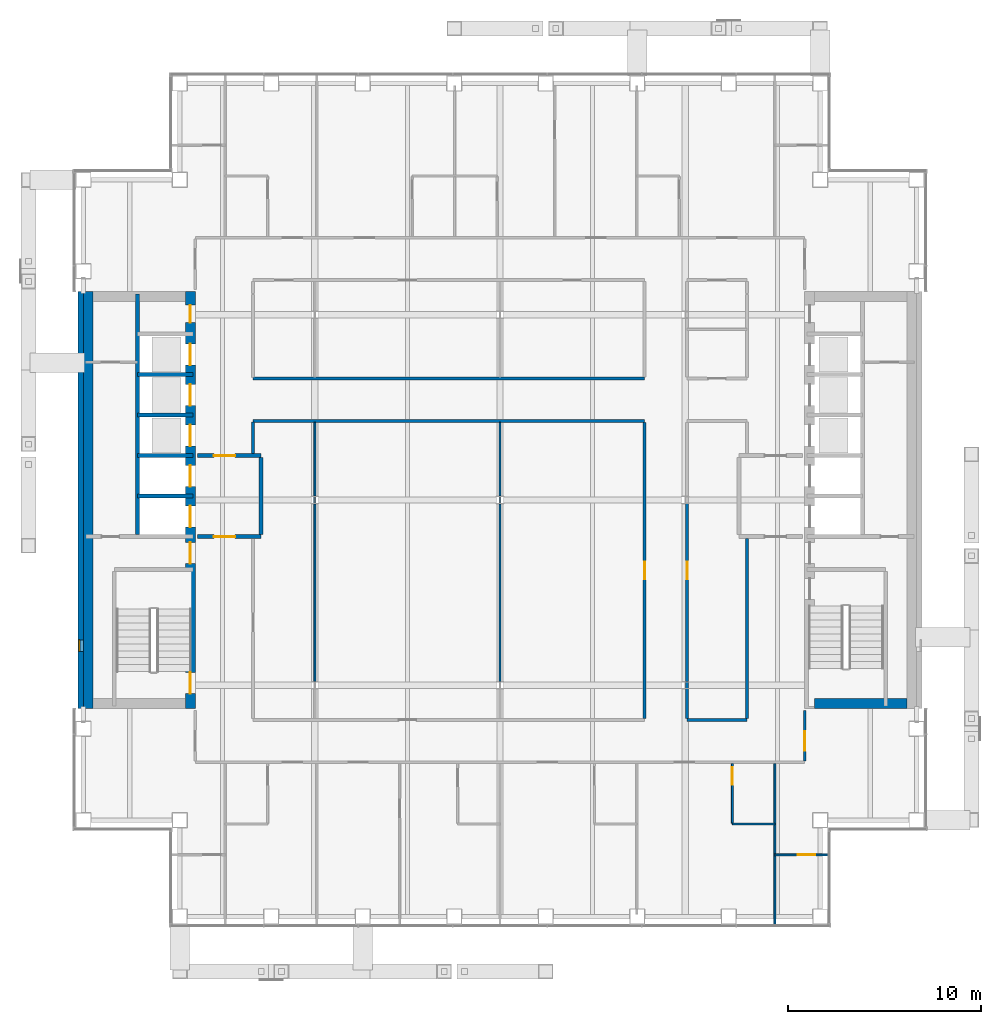
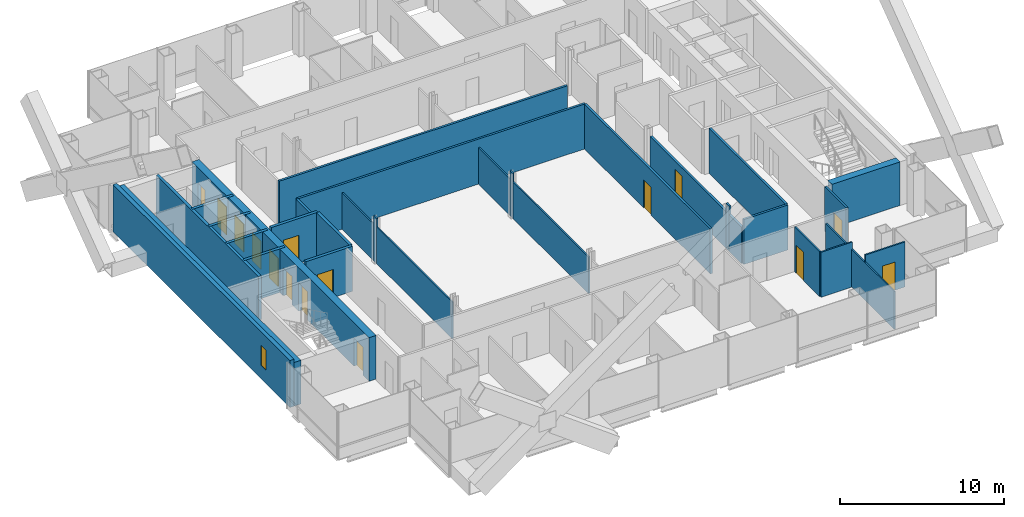
# One storey, part 11 of 16: 32 walls, 15 doors, 1 window, 16 openings.
"""IFC4 building model written with IfcOpenShell, lengths in metres."""

from ifc_helpers import new_model, si_unit, direction, frame, frame_2d, origin, place, context, subcontext, project, spatial, rectangle, extrude, material, layer, layer_set, type_object, element, fill, save


model = new_model("IFC4")

# Units and contexts
model_context = context("Model", 3, precision=1e-05, world=origin(), true_north=direction((0.0, 1.0)))
body_context = subcontext(model_context, "Body", "Model", "MODEL_VIEW")
ifc_project = project(units=[si_unit("LENGTHUNIT", "METRE"), si_unit("AREAUNIT", "SQUARE_METRE"), si_unit("VOLUMEUNIT", "CUBIC_METRE"), si_unit("PLANEANGLEUNIT", "RADIAN"), si_unit("MASSUNIT", "GRAM", prefix="KILO")], contexts=[model_context])

# Site, building, storey
site_placement = place(None, origin())
site = spatial("IfcSite", under=ifc_project, at=site_placement, CompositionType="ELEMENT")
building_placement = place(site_placement, origin())
building = spatial("IfcBuilding", under=site, at=building_placement, Name="Cobrizo Arcos Hotel Tower", CompositionType="ELEMENT")
storey_placement = place(building_placement, frame((0.0, 0.0, 172.5)))
storey = spatial("IfcBuildingStorey", under=building, at=storey_placement, Name="L44", CompositionType="ELEMENT", Elevation=172.5)

# Walls
ifc_material_1 = material(Name="Gypsum board partition")
ifc_layer_1 = layer(ifc_material_1, 0.14990234375)
ifc_layer_set_1 = layer_set([ifc_layer_1], Name="Corridor wall EI 60 150")
wall_type_1 = type_object("IfcWallType", Name="Corridor wall EI 60 150", PredefinedType="PARTITIONING", material=ifc_layer_set_1)
wall_1_placement = place(storey_placement, frame((9.699951171875, -11.39990234375, 0.0), z_axis=(0.0, 0.0, 1.0), x_axis=(1.0, 0.0, 0.0)))
element("IfcWall", 1, at=wall_1_placement, inside=storey, type_object=wall_type_1, Name="Partition 009", PredefinedType="PARTITIONING", context=body_context, shape_type="SweptSolid", body=[
    extrude(rectangle(XDim=3.10009765625, YDim=0.14990234375, at=frame_2d((1.550048828125, 0.0))), origin(), (0.0, 0.0, 1.0), 3.35009765625),
])
for number, where, z_axis, x_axis, name in (
    (2, (-12.800048828125, 4.10009765625, 0.0), (0.0, 0.0, 1.0), (1.0, 0.0, 0.0), "Partition 022"),
    (3, (-12.800048828125, 6.300048828125, 0.0), (0.0, 0.0, 1.0), (1.0, 0.0, 0.0), "Partition 026"),
):
    element("IfcWall", number, at=place(storey_placement, frame(where, z_axis=z_axis, x_axis=x_axis)), inside=storey, type_object=wall_type_1, Name=name, PredefinedType="PARTITIONING", context=body_context, shape_type="SweptSolid", body=[
        extrude(rectangle(XDim=20.300048828125, YDim=0.14990234375, at=frame_2d((10.14990234375, 0.0))), origin(), (0.0, 0.0, 1.0), 3.35009765625),
    ])
wall_2_placement = place(storey_placement, frame((-12.800048828125, 2.39990234375, 0.0), z_axis=(0.0, 0.0, 1.0), x_axis=(0.0, 1.0, 0.0)))
element("IfcWall", 4, at=wall_2_placement, inside=storey, type_object=wall_type_1, Name="Partition 051", PredefinedType="PARTITIONING", context=body_context, shape_type="SweptSolid", body=[
    extrude(rectangle(XDim=1.650146484375, YDim=0.14990234375, at=frame_2d((0.8251953125, 0.0))), origin(), (0.0, 0.0, 1.0), 3.35009765625),
])

# Wall, opening, door
wall_3_placement = place(storey_placement, frame((7.5, -11.324951171875, 0.0), z_axis=(0.0, 0.0, 1.0), x_axis=(0.0, 1.0, 0.0)))
wall_3 = element("IfcWall", 5, at=wall_3_placement, inside=storey, type_object=wall_type_1, Name="Partition 086", PredefinedType="PARTITIONING", context=body_context, shape_type="SweptSolid", body=[
    extrude(rectangle(XDim=15.349853515625, YDim=0.14990234375, at=frame_2d((7.6748046875, 0.0))), origin(), (0.0, 0.0, 1.0), 3.35009765625),
])
opening_1_placement = place(wall_3_placement, frame((7.22509765625, 0.0, 0.0)))
opening_1 = element("IfcOpeningElement", 6, at=opening_1_placement, cuts=wall_3, Name="Opening RD-14", PredefinedType="OPENING", context=body_context, shape_type="SweptSolid", body=[
    extrude(rectangle(XDim=0.89990234375, YDim=2.10009765625, at=frame_2d((0.449951171875, 1.050048828125))), frame((0.0, 0.0869140625, 0.0), z_axis=(0.0, -1.0, 0.0), x_axis=(1.0, 0.0, 0.0)), (0.0, 0.0, 1.0), 0.173828125),
])
ifc_material_2 = material(Name="Timber door leaf", Category="wood")
door_type_1 = type_object("IfcDoorType", Name="Room door FD30 900x2100", OperationType="SINGLE_SWING_LEFT", PredefinedType="DOOR", material=ifc_material_2)
door_1_placement = place(opening_1_placement, origin())
door_1 = element("IfcDoor", 7, at=door_1_placement, inside=storey, type_object=door_type_1, Name="Door RD-14", OperationType="SINGLE_SWING_LEFT", OverallHeight=2.10009765625, OverallWidth=0.89990234375, PredefinedType="DOOR", context=body_context, shape_type="SweptSolid", body=[
    extrude(rectangle(XDim=0.89990234375, YDim=2.10009765625, at=frame_2d((0.449951171875, 1.050048828125))), frame((0.0, 0.02490234375, 0.0), z_axis=(0.0, -1.0, 0.0), x_axis=(1.0, 0.0, 0.0)), (0.0, 0.0, 1.0), 0.050048828125),
])
fill(opening_1, door_1)

# Walls
wall_4_placement = place(storey_placement, frame((9.699951171875, -11.324951171875, 0.0), z_axis=(0.0, 0.0, 1.0), x_axis=(0.0, 1.0, 0.0)))
element("IfcWall", 8, at=wall_4_placement, inside=storey, type_object=wall_type_1, Name="Partition 089", PredefinedType="PARTITIONING", context=body_context, shape_type="SweptSolid", body=[
    extrude(rectangle(XDim=1.537841796875, YDim=0.14990234375, at=frame_2d((0.76904296875, 0.0))), origin(), (0.0, 0.0, 1.0), 2.72802734375),
])
wall_5_placement = place(storey_placement, frame((9.699951171875, -9.787109375, 0.0), z_axis=(0.0, 0.0, 1.0), x_axis=(0.0, 1.0, 0.0)))
element("IfcWall", 9, at=wall_5_placement, inside=storey, type_object=wall_type_1, Name="Partition 090", PredefinedType="PARTITIONING", context=body_context, shape_type="SweptSolid", body=[
    extrude(rectangle(XDim=0.3740234375, YDim=0.14990234375, at=frame_2d((0.18701171875, 0.0))), origin(), (0.0, 0.0, 1.0), 3.35009765625),
])

# Wall, opening, door
wall_6_placement = place(storey_placement, frame((9.699951171875, -9.4130859375, 0.0), z_axis=(0.0, 0.0, 1.0), x_axis=(0.0, 1.0, 0.0)))
wall_6 = element("IfcWall", 10, at=wall_6_placement, inside=storey, type_object=wall_type_1, Name="Partition 091", PredefinedType="PARTITIONING", context=body_context, shape_type="SweptSolid", body=[
    extrude(rectangle(XDim=9.22607421875, YDim=0.14990234375, at=frame_2d((4.613037109375, 0.0))), origin(), (0.0, 0.0, 1.0), 2.72802734375),
])
opening_2_placement = place(wall_6_placement, frame((5.31298828125, 0.0, 0.0)))
opening_2 = element("IfcOpeningElement", 11, at=opening_2_placement, cuts=wall_6, Name="Opening RD-11", PredefinedType="OPENING", context=body_context, shape_type="SweptSolid", body=[
    extrude(rectangle(XDim=0.89990234375, YDim=2.10009765625, at=frame_2d((0.449951171875, 1.050048828125))), frame((0.0, 0.0869140625, 0.0), z_axis=(0.0, -1.0, 0.0), x_axis=(1.0, 0.0, 0.0)), (0.0, 0.0, 1.0), 0.173828125),
])
door_2_placement = place(opening_2_placement, origin())
door_2 = element("IfcDoor", 12, at=door_2_placement, inside=storey, type_object=door_type_1, Name="Door RD-11", OperationType="SINGLE_SWING_LEFT", OverallHeight=2.10009765625, OverallWidth=0.89990234375, PredefinedType="DOOR", context=body_context, shape_type="SweptSolid", body=[
    extrude(rectangle(XDim=0.89990234375, YDim=2.10009765625, at=frame_2d((0.449951171875, 1.050048828125))), frame((0.0, 0.02490234375, 0.0), z_axis=(0.0, -1.0, 0.0), x_axis=(1.0, 0.0, 0.0)), (0.0, 0.0, 1.0), 0.050048828125),
])
fill(opening_2, door_2)

# Wall
wall_7_placement = place(storey_placement, frame((12.800048828125, -11.324951171875, 0.0), z_axis=(0.0, 0.0, 1.0), x_axis=(0.0, 1.0, 0.0)))
element("IfcWall", 13, at=wall_7_placement, inside=storey, type_object=wall_type_1, Name="Partition 099", PredefinedType="PARTITIONING", context=body_context, shape_type="SweptSolid", body=[
    extrude(rectangle(XDim=9.324951171875, YDim=0.14990234375, at=frame_2d((4.66259765625, 0.0))), origin(), (0.0, 0.0, 1.0), 3.35009765625),
])

# Wall, opening, door
wall_8_placement = place(storey_placement, frame((15.800048828125, -13.52490234375, 0.0), z_axis=(0.0, 0.0, 1.0), x_axis=(0.0, 1.0, 0.0)))
wall_8 = element("IfcWall", 14, at=wall_8_placement, inside=storey, type_object=wall_type_1, Name="Partition 105", PredefinedType="PARTITIONING", context=body_context, shape_type="SweptSolid", body=[
    extrude(rectangle(XDim=2.60498046875, YDim=0.14990234375, at=frame_2d((1.302490234375, 0.0))), origin(), (0.0, 0.0, 1.0), 3.35009765625),
])
opening_3_placement = place(wall_8_placement, frame((0.52490234375, 0.0, 0.0)))
opening_3 = element("IfcOpeningElement", 15, at=opening_3_placement, cuts=wall_8, Name="Opening GD-11", PredefinedType="OPENING", context=body_context, shape_type="SweptSolid", body=[
    extrude(rectangle(XDim=1.0, YDim=2.10009765625, at=frame_2d((0.5, 1.050048828125))), frame((0.0, 0.0869140625, 0.0), z_axis=(0.0, -1.0, 0.0), x_axis=(1.0, 0.0, 0.0)), (0.0, 0.0, 1.0), 0.173828125),
])
door_type_2 = type_object("IfcDoorType", Name="Guest room door FD30S 1000x2100", OperationType="SINGLE_SWING_LEFT", PredefinedType="DOOR", material=ifc_material_2)
door_3_placement = place(opening_3_placement, origin())
door_3 = element("IfcDoor", 16, at=door_3_placement, inside=storey, type_object=door_type_2, Name="Door GD-11", OperationType="SINGLE_SWING_RIGHT", OverallHeight=2.10009765625, OverallWidth=1.0, PredefinedType="DOOR", context=body_context, shape_type="SweptSolid", body=[
    extrude(rectangle(XDim=1.0, YDim=2.10009765625, at=frame_2d((0.5, 1.050048828125))), frame((0.0, 0.02490234375, 0.0), z_axis=(0.0, -1.0, 0.0), x_axis=(1.0, 0.0, 0.0)), (0.0, 0.0, 1.0), 0.050048828125),
])
fill(opening_3, door_3)

# Wall, opening, window
ifc_material_3 = material(Name="Aluminium composite panel pale metal", Category="aluminium")
ifc_layer_2 = layer(ifc_material_3, 0.27490234375)
ifc_layer_set_2 = layer_set([ifc_layer_2], Name="EW-1 insulated panel wall 275")
wall_type_2 = type_object("IfcWallType", Name="EW-1 insulated panel wall 275", PredefinedType="SOLIDWALL", material=ifc_layer_set_2)
wall_9_placement = place(storey_placement, frame((-21.737548828125, 10.800048828125, 0.0), z_axis=(0.0, 0.0, 1.0), x_axis=(0.0, -1.0, 0.0)))
wall_9 = element("IfcWall", 17, at=wall_9_placement, inside=storey, type_object=wall_type_2, Name="Core face wall L44 W", PredefinedType="SOLIDWALL", context=body_context, shape_type="SweptSolid", body=[
    extrude(rectangle(XDim=21.60009765625, YDim=0.27490234375, at=frame_2d((10.800048828125, 0.0))), origin(), (0.0, 0.0, 1.0), 3.5),
])
opening_4_placement = place(wall_9_placement, frame((18.050048828125, 0.0, 1.0)))
opening_4 = element("IfcOpeningElement", 18, at=opening_4_placement, cuts=wall_9, Name="Opening W-96", PredefinedType="OPENING", context=body_context, shape_type="SweptSolid", body=[
    extrude(rectangle(XDim=0.60009765625, YDim=1.5, at=frame_2d((0.300048828125, 0.75))), frame((0.0, 0.1494140625, 0.0), z_axis=(0.0, -1.0, 0.0), x_axis=(1.0, 0.0, 0.0)), (0.0, 0.0, 1.0), 0.298828125),
])
ifc_material_4 = material(Name="Aluminium 6063-T6 and clear laminated glass", Category="aluminium")
window_type = type_object("IfcWindowType", Name="W-C1 core stair slot window 600x1500", PartitioningType="SINGLE_PANEL", PredefinedType="WINDOW", material=ifc_material_4)
window_placement = place(opening_4_placement, origin())
window = element("IfcWindow", 19, at=window_placement, inside=storey, type_object=window_type, Name="Core face wall L44 W window W-96", OverallHeight=1.5, OverallWidth=0.60009765625, PartitioningType="SINGLE_PANEL", PredefinedType="WINDOW", context=body_context, shape_type="SweptSolid", body=[
    extrude(rectangle(XDim=0.60009765625, YDim=1.5, at=frame_2d((0.300048828125, 0.75))), frame((0.0, -0.04736328125, 0.0), z_axis=(0.0, -1.0, 0.0), x_axis=(1.0, 0.0, 0.0)), (0.0, 0.0, 1.0), 0.06005859375),
])
fill(opening_4, window)

# Wall, opening, door
ifc_layer_3 = layer(ifc_material_1, 0.10009765625)
ifc_layer_set_3 = layer_set([ifc_layer_3], Name="Partition EI 30 100")
wall_type_3 = type_object("IfcWallType", Name="Partition EI 30 100", PredefinedType="PARTITIONING", material=ifc_layer_set_3)
wall_10_placement = place(storey_placement, frame((14.25, -18.39990234375, 0.0), z_axis=(0.0, 0.0, 1.0), x_axis=(1.0, 0.0, 0.0)))
wall_10 = element("IfcWall", 20, at=wall_10_placement, inside=storey, type_object=wall_type_3, Name="Partition 002", PredefinedType="PARTITIONING", context=body_context, shape_type="SweptSolid", body=[
    extrude(rectangle(XDim=2.780029296875, YDim=0.10009765625, at=frame_2d((1.39013671875, 0.0))), origin(), (0.0, 0.0, 1.0), 3.35009765625),
])
opening_5_placement = place(wall_10_placement, frame((1.18896484375, 0.0, 0.0)))
opening_5 = element("IfcOpeningElement", 21, at=opening_5_placement, cuts=wall_10, Name="Opening ED-11", PredefinedType="OPENING", context=body_context, shape_type="SweptSolid", body=[
    extrude(rectangle(XDim=0.89990234375, YDim=2.10009765625, at=frame_2d((0.449951171875, 1.050048828125))), frame((0.0, 0.06201171875, 0.0), z_axis=(0.0, -1.0, 0.0), x_axis=(1.0, 0.0, 0.0)), (0.0, 0.0, 1.0), 0.1240234375),
])
door_type_3 = type_object("IfcDoorType", Name="En-suite door 900x2100", OperationType="SINGLE_SWING_LEFT", PredefinedType="DOOR", material=ifc_material_2)
door_4_placement = place(opening_5_placement, origin())
door_4 = element("IfcDoor", 22, at=door_4_placement, inside=storey, type_object=door_type_3, Name="Door ED-11", OperationType="SINGLE_SWING_LEFT", OverallHeight=2.10009765625, OverallWidth=0.89990234375, PredefinedType="DOOR", context=body_context, shape_type="SweptSolid", body=[
    extrude(rectangle(XDim=0.89990234375, YDim=2.10009765625, at=frame_2d((0.449951171875, 1.050048828125))), frame((0.0, 0.02490234375, 0.0), z_axis=(0.0, -1.0, 0.0), x_axis=(1.0, 0.0, 0.0)), (0.0, 0.0, 1.0), 0.050048828125),
])
fill(opening_5, door_4)

# Walls
wall_11_placement = place(storey_placement, frame((12.050048828125, -16.800048828125, 0.0), z_axis=(0.0, 0.0, 1.0), x_axis=(1.0, 0.0, 0.0)))
element("IfcWall", 23, at=wall_11_placement, inside=storey, type_object=wall_type_3, Name="Partition 006", PredefinedType="PARTITIONING", context=body_context, shape_type="SweptSolid", body=[
    extrude(rectangle(XDim=2.199951171875, YDim=0.10009765625, at=frame_2d((1.10009765625, 0.0))), origin(), (0.0, 0.0, 1.0), 3.35009765625),
])
wall_12_placement = place(storey_placement, frame((-9.60009765625, -9.4130859375, 0.0), z_axis=(0.0, 0.0, 1.0), x_axis=(0.0, 1.0, 0.0)))
element("IfcWall", 24, at=wall_12_placement, inside=storey, type_object=wall_type_3, Name="Partition 059", PredefinedType="PARTITIONING", context=body_context, shape_type="SweptSolid", body=[
    extrude(rectangle(XDim=9.22607421875, YDim=0.10009765625, at=frame_2d((4.613037109375, 0.0))), origin(), (0.0, 0.0, 1.0), 2.72802734375),
])
wall_13_placement = place(storey_placement, frame((-9.60009765625, -0.18701171875, 0.0), z_axis=(0.0, 0.0, 1.0), x_axis=(0.0, 1.0, 0.0)))
element("IfcWall", 25, at=wall_13_placement, inside=storey, type_object=wall_type_3, Name="Partition 060", PredefinedType="PARTITIONING", context=body_context, shape_type="SweptSolid", body=[
    extrude(rectangle(XDim=0.3740234375, YDim=0.10009765625, at=frame_2d((0.18701171875, 0.0))), origin(), (0.0, 0.0, 1.0), 3.35009765625),
])
wall_14_placement = place(storey_placement, frame((-9.60009765625, 0.18701171875, 0.0), z_axis=(0.0, 0.0, 1.0), x_axis=(0.0, 1.0, 0.0)))
element("IfcWall", 26, at=wall_14_placement, inside=storey, type_object=wall_type_3, Name="Partition 061", PredefinedType="PARTITIONING", context=body_context, shape_type="SweptSolid", body=[
    extrude(rectangle(XDim=3.837890625, YDim=0.10009765625, at=frame_2d((1.9189453125, 0.0))), origin(), (0.0, 0.0, 1.0), 2.72802734375),
])
wall_15_placement = place(storey_placement, frame((0.0, -9.4130859375, 0.0), z_axis=(0.0, 0.0, 1.0), x_axis=(0.0, 1.0, 0.0)))
element("IfcWall", 27, at=wall_15_placement, inside=storey, type_object=wall_type_3, Name="Partition 076", PredefinedType="PARTITIONING", context=body_context, shape_type="SweptSolid", body=[
    extrude(rectangle(XDim=9.22607421875, YDim=0.10009765625, at=frame_2d((4.613037109375, 0.0))), origin(), (0.0, 0.0, 1.0), 2.72802734375),
])
wall_16_placement = place(storey_placement, frame((0.0, -0.18701171875, 0.0), z_axis=(0.0, 0.0, 1.0), x_axis=(0.0, 1.0, 0.0)))
element("IfcWall", 28, at=wall_16_placement, inside=storey, type_object=wall_type_3, Name="Partition 077", PredefinedType="PARTITIONING", context=body_context, shape_type="SweptSolid", body=[
    extrude(rectangle(XDim=0.3740234375, YDim=0.10009765625, at=frame_2d((0.18701171875, 0.0))), origin(), (0.0, 0.0, 1.0), 3.35009765625),
])
wall_17_placement = place(storey_placement, frame((0.0, 0.18701171875, 0.0), z_axis=(0.0, 0.0, 1.0), x_axis=(0.0, 1.0, 0.0)))
element("IfcWall", 29, at=wall_17_placement, inside=storey, type_object=wall_type_3, Name="Partition 078", PredefinedType="PARTITIONING", context=body_context, shape_type="SweptSolid", body=[
    extrude(rectangle(XDim=3.837890625, YDim=0.10009765625, at=frame_2d((1.9189453125, 0.0))), origin(), (0.0, 0.0, 1.0), 2.72802734375),
])

# Wall, opening, door
wall_18_placement = place(storey_placement, frame((12.050048828125, -16.75, 0.0), z_axis=(0.0, 0.0, 1.0), x_axis=(0.0, 1.0, 0.0)))
wall_18 = element("IfcWall", 30, at=wall_18_placement, inside=storey, type_object=wall_type_3, Name="Partition 097", PredefinedType="PARTITIONING", context=body_context, shape_type="SweptSolid", body=[
    extrude(rectangle(XDim=3.074951171875, YDim=0.10009765625, at=frame_2d((1.53759765625, 0.0))), origin(), (0.0, 0.0, 1.0), 3.35009765625),
])
opening_6_placement = place(wall_18_placement, frame((1.99609375, 0.0, 0.0)))
opening_6 = element("IfcOpeningElement", 31, at=opening_6_placement, cuts=wall_18, Name="Opening ED-08", PredefinedType="OPENING", context=body_context, shape_type="SweptSolid", body=[
    extrude(rectangle(XDim=0.89990234375, YDim=2.10009765625, at=frame_2d((0.449951171875, 1.050048828125))), frame((0.0, 0.06201171875, 0.0), z_axis=(0.0, -1.0, 0.0), x_axis=(1.0, 0.0, 0.0)), (0.0, 0.0, 1.0), 0.1240234375),
])
door_5_placement = place(opening_6_placement, origin())
door_5 = element("IfcDoor", 32, at=door_5_placement, inside=storey, type_object=door_type_3, Name="Door ED-08", OperationType="SINGLE_SWING_RIGHT", OverallHeight=2.10009765625, OverallWidth=0.89990234375, PredefinedType="DOOR", context=body_context, shape_type="SweptSolid", body=[
    extrude(rectangle(XDim=0.89990234375, YDim=2.10009765625, at=frame_2d((0.449951171875, 1.050048828125))), frame((0.0, 0.02490234375, 0.0), z_axis=(0.0, -1.0, 0.0), x_axis=(1.0, 0.0, 0.0)), (0.0, 0.0, 1.0), 0.050048828125),
])
fill(opening_6, door_5)

# Walls
wall_19_placement = place(storey_placement, frame((14.25, -22.030029296875, 0.0), z_axis=(0.0, 0.0, 1.0), x_axis=(0.0, 1.0, 0.0)))
element("IfcWall", 33, at=wall_19_placement, inside=storey, type_object=wall_type_3, Name="Partition 103", PredefinedType="PARTITIONING", context=body_context, shape_type="SweptSolid", body=[
    extrude(rectangle(XDim=8.35498046875, YDim=0.10009765625, at=frame_2d((4.177490234375, 0.0))), origin(), (0.0, 0.0, 1.0), 2.81689453125),
])
ifc_material_5 = material(Name="Concrete f'c 50 MPa", Category="concrete")
ifc_layer_4 = layer(ifc_material_5, 0.5)
ifc_layer_set_4 = layer_set([ifc_layer_4], Name="RC core wall 500 f'c 50")
wall_type_4 = type_object("IfcWallType", Name="RC core wall 500 f'c 50", PredefinedType="SHEAR", material=ifc_layer_set_4)
wall_20_placement = place(storey_placement, frame((16.300048828125, -10.550048828125, 0.0), z_axis=(0.0, 0.0, 1.0), x_axis=(1.0, 0.0, 0.0)))
element("IfcWall", 34, at=wall_20_placement, inside=storey, type_object=wall_type_4, Name="Core wall CW3, east core, south end, L44", PredefinedType="SHEAR", context=body_context, shape_type="SweptSolid", body=[
    extrude(rectangle(XDim=4.800048828125, YDim=0.5, at=frame_2d((2.39990234375, 0.0))), origin(), (0.0, 0.0, 1.0), 3.25),
])

# Wall, openings, doors
wall_21_placement = place(storey_placement, frame((-16.050048828125, -10.800048828125, 0.0), z_axis=(0.0, 0.0, 1.0), x_axis=(0.0, 1.0, 0.0)))
wall_21 = element("IfcWall", 35, at=wall_21_placement, inside=storey, type_object=wall_type_4, Name="Core wall CW3, west core, inner face, L44", PredefinedType="SHEAR", context=body_context, shape_type="SweptSolid", body=[
    extrude(rectangle(XDim=21.60009765625, YDim=0.5, at=frame_2d((10.800048828125, 0.0))), origin(), (0.0, 0.0, 1.0), 3.25),
])
opening_7_placement = place(wall_21_placement, frame((9.39990234375, 0.0, 0.0)))
opening_7 = element("IfcOpeningElement", 36, at=opening_7_placement, cuts=wall_21, Name="Opening LD-01", PredefinedType="OPENING", context=body_context, shape_type="SweptSolid", body=[
    extrude(rectangle(XDim=1.10009765625, YDim=2.10009765625, at=frame_2d((0.550048828125, 1.050048828125))), frame((0.0, 0.261962890625, 0.0), z_axis=(0.0, -1.0, 0.0), x_axis=(1.0, 0.0, 0.0)), (0.0, 0.0, 1.0), 0.52392578125),
])
opening_8_placement = place(wall_21_placement, frame((11.5, 0.0, 0.0)))
opening_8 = element("IfcOpeningElement", 37, at=opening_8_placement, cuts=wall_21, Name="Opening LD-02", PredefinedType="OPENING", context=body_context, shape_type="SweptSolid", body=[
    extrude(rectangle(XDim=1.10009765625, YDim=2.10009765625, at=frame_2d((0.550048828125, 1.050048828125))), frame((0.0, 0.261962890625, 0.0), z_axis=(0.0, -1.0, 0.0), x_axis=(1.0, 0.0, 0.0)), (0.0, 0.0, 1.0), 0.52392578125),
])
opening_9_placement = place(wall_21_placement, frame((13.60009765625, 0.0, 0.0)))
opening_9 = element("IfcOpeningElement", 38, at=opening_9_placement, cuts=wall_21, Name="Opening LD-03", PredefinedType="OPENING", context=body_context, shape_type="SweptSolid", body=[
    extrude(rectangle(XDim=1.10009765625, YDim=2.10009765625, at=frame_2d((0.550048828125, 1.050048828125))), frame((0.0, 0.261962890625, 0.0), z_axis=(0.0, -1.0, 0.0), x_axis=(1.0, 0.0, 0.0)), (0.0, 0.0, 1.0), 0.52392578125),
])
opening_10_placement = place(wall_21_placement, frame((15.699951171875, 0.0, 0.0)))
opening_10 = element("IfcOpeningElement", 39, at=opening_10_placement, cuts=wall_21, Name="Opening LD-04", PredefinedType="OPENING", context=body_context, shape_type="SweptSolid", body=[
    extrude(rectangle(XDim=1.10009765625, YDim=2.10009765625, at=frame_2d((0.550048828125, 1.050048828125))), frame((0.0, 0.261962890625, 0.0), z_axis=(0.0, -1.0, 0.0), x_axis=(1.0, 0.0, 0.0)), (0.0, 0.0, 1.0), 0.52392578125),
])
opening_11_placement = place(wall_21_placement, frame((17.800048828125, 0.0, 0.0)))
opening_11 = element("IfcOpeningElement", 40, at=opening_11_placement, cuts=wall_21, Name="Opening LD-05", PredefinedType="OPENING", context=body_context, shape_type="SweptSolid", body=[
    extrude(rectangle(XDim=1.10009765625, YDim=2.10009765625, at=frame_2d((0.550048828125, 1.050048828125))), frame((0.0, 0.261962890625, 0.0), z_axis=(0.0, -1.0, 0.0), x_axis=(1.0, 0.0, 0.0)), (0.0, 0.0, 1.0), 0.52392578125),
])
opening_12_placement = place(wall_21_placement, frame((0.758056640625, 0.0, 0.0)))
opening_12 = element("IfcOpeningElement", 41, at=opening_12_placement, cuts=wall_21, Name="Opening SD-01", PredefinedType="OPENING", context=body_context, shape_type="SweptSolid", body=[
    extrude(rectangle(XDim=1.10009765625, YDim=2.10009765625, at=frame_2d((0.550048828125, 1.050048828125))), frame((0.0, 0.261962890625, 0.0), z_axis=(0.0, -1.0, 0.0), x_axis=(1.0, 0.0, 0.0)), (0.0, 0.0, 1.0), 0.52392578125),
])
opening_13_placement = place(wall_21_placement, frame((7.5, 0.0, 0.0)))
opening_13 = element("IfcOpeningElement", 42, at=opening_13_placement, cuts=wall_21, Name="Opening FD-01", PredefinedType="OPENING", context=body_context, shape_type="SweptSolid", body=[
    extrude(rectangle(XDim=1.10009765625, YDim=2.10009765625, at=frame_2d((0.550048828125, 1.050048828125))), frame((0.0, 0.261962890625, 0.0), z_axis=(0.0, -1.0, 0.0), x_axis=(1.0, 0.0, 0.0)), (0.0, 0.0, 1.0), 0.52392578125),
])
opening_14_placement = place(wall_21_placement, frame((20.0, 0.0, 0.0)))
opening_14 = element("IfcOpeningElement", 43, at=opening_14_placement, cuts=wall_21, Name="Opening RD-01", PredefinedType="OPENING", context=body_context, shape_type="SweptSolid", body=[
    extrude(rectangle(XDim=0.89990234375, YDim=2.10009765625, at=frame_2d((0.449951171875, 1.050048828125))), frame((0.0, 0.261962890625, 0.0), z_axis=(0.0, -1.0, 0.0), x_axis=(1.0, 0.0, 0.0)), (0.0, 0.0, 1.0), 0.52392578125),
])
ifc_material_6 = material(Name="Steel door leaf", Category="steel")
door_type_4 = type_object("IfcDoorType", Name="Fire door FD60 1100x2100", OperationType="SINGLE_SWING_LEFT", PredefinedType="DOOR", material=ifc_material_6)
door_6_placement = place(opening_13_placement, origin())
door_6 = element("IfcDoor", 44, at=door_6_placement, inside=storey, type_object=door_type_4, Name="Door FD-01", OperationType="SINGLE_SWING_RIGHT", OverallHeight=2.10009765625, OverallWidth=1.10009765625, PredefinedType="DOOR", context=body_context, shape_type="SweptSolid", body=[
    extrude(rectangle(XDim=1.10009765625, YDim=2.10009765625, at=frame_2d((0.550048828125, 1.050048828125))), frame((0.0, 0.02490234375, 0.0), z_axis=(0.0, -1.0, 0.0), x_axis=(1.0, 0.0, 0.0)), (0.0, 0.0, 1.0), 0.050048828125),
])
fill(opening_13, door_6)
door_type_5 = type_object("IfcDoorType", Name="Lift landing door 1100x2100", OperationType="SLIDING_TO_LEFT", PredefinedType="DOOR", material=ifc_material_6)
door_7_placement = place(opening_7_placement, origin())
door_7 = element("IfcDoor", 45, at=door_7_placement, inside=storey, type_object=door_type_5, Name="Lift landing door LD-01", OperationType="SLIDING_TO_LEFT", OverallHeight=2.10009765625, OverallWidth=1.10009765625, PredefinedType="DOOR", context=body_context, shape_type="SweptSolid", body=[
    extrude(rectangle(XDim=1.10009765625, YDim=2.10009765625, at=frame_2d((0.550048828125, 1.050048828125))), frame((0.0, 0.02490234375, 0.0), z_axis=(0.0, -1.0, 0.0), x_axis=(1.0, 0.0, 0.0)), (0.0, 0.0, 1.0), 0.050048828125),
])
fill(opening_7, door_7)
door_8_placement = place(opening_8_placement, origin())
door_8 = element("IfcDoor", 46, at=door_8_placement, inside=storey, type_object=door_type_5, Name="Lift landing door LD-02", OperationType="SLIDING_TO_LEFT", OverallHeight=2.10009765625, OverallWidth=1.10009765625, PredefinedType="DOOR", context=body_context, shape_type="SweptSolid", body=[
    extrude(rectangle(XDim=1.10009765625, YDim=2.10009765625, at=frame_2d((0.550048828125, 1.050048828125))), frame((0.0, 0.02490234375, 0.0), z_axis=(0.0, -1.0, 0.0), x_axis=(1.0, 0.0, 0.0)), (0.0, 0.0, 1.0), 0.050048828125),
])
fill(opening_8, door_8)
door_9_placement = place(opening_9_placement, origin())
door_9 = element("IfcDoor", 47, at=door_9_placement, inside=storey, type_object=door_type_5, Name="Lift landing door LD-03", OperationType="SLIDING_TO_LEFT", OverallHeight=2.10009765625, OverallWidth=1.10009765625, PredefinedType="DOOR", context=body_context, shape_type="SweptSolid", body=[
    extrude(rectangle(XDim=1.10009765625, YDim=2.10009765625, at=frame_2d((0.550048828125, 1.050048828125))), frame((0.0, 0.02490234375, 0.0), z_axis=(0.0, -1.0, 0.0), x_axis=(1.0, 0.0, 0.0)), (0.0, 0.0, 1.0), 0.050048828125),
])
fill(opening_9, door_9)
door_10_placement = place(opening_10_placement, origin())
door_10 = element("IfcDoor", 48, at=door_10_placement, inside=storey, type_object=door_type_5, Name="Lift landing door LD-04", OperationType="SLIDING_TO_LEFT", OverallHeight=2.10009765625, OverallWidth=1.10009765625, PredefinedType="DOOR", context=body_context, shape_type="SweptSolid", body=[
    extrude(rectangle(XDim=1.10009765625, YDim=2.10009765625, at=frame_2d((0.550048828125, 1.050048828125))), frame((0.0, 0.02490234375, 0.0), z_axis=(0.0, -1.0, 0.0), x_axis=(1.0, 0.0, 0.0)), (0.0, 0.0, 1.0), 0.050048828125),
])
fill(opening_10, door_10)
door_11_placement = place(opening_11_placement, origin())
door_11 = element("IfcDoor", 49, at=door_11_placement, inside=storey, type_object=door_type_5, Name="Lift landing door LD-05", OperationType="SLIDING_TO_LEFT", OverallHeight=2.10009765625, OverallWidth=1.10009765625, PredefinedType="DOOR", context=body_context, shape_type="SweptSolid", body=[
    extrude(rectangle(XDim=1.10009765625, YDim=2.10009765625, at=frame_2d((0.550048828125, 1.050048828125))), frame((0.0, 0.02490234375, 0.0), z_axis=(0.0, -1.0, 0.0), x_axis=(1.0, 0.0, 0.0)), (0.0, 0.0, 1.0), 0.050048828125),
])
fill(opening_11, door_11)
door_12_placement = place(opening_14_placement, origin())
door_12 = element("IfcDoor", 50, at=door_12_placement, inside=storey, type_object=door_type_1, Name="Door RD-01", OperationType="SINGLE_SWING_RIGHT", OverallHeight=2.10009765625, OverallWidth=0.89990234375, PredefinedType="DOOR", context=body_context, shape_type="SweptSolid", body=[
    extrude(rectangle(XDim=0.89990234375, YDim=2.10009765625, at=frame_2d((0.449951171875, 1.050048828125))), frame((0.0, 0.02490234375, 0.0), z_axis=(0.0, -1.0, 0.0), x_axis=(1.0, 0.0, 0.0)), (0.0, 0.0, 1.0), 0.050048828125),
])
fill(opening_14, door_12)
door_type_6 = type_object("IfcDoorType", Name="Stair door FD60S 1100x2100", OperationType="SINGLE_SWING_LEFT", PredefinedType="DOOR", material=ifc_material_6)
door_13_placement = place(opening_12_placement, origin())
door_13 = element("IfcDoor", 51, at=door_13_placement, inside=storey, type_object=door_type_6, Name="Door SD-01", OperationType="SINGLE_SWING_LEFT", OverallHeight=2.10009765625, OverallWidth=1.10009765625, PredefinedType="DOOR", context=body_context, shape_type="SweptSolid", body=[
    extrude(rectangle(XDim=1.10009765625, YDim=2.10009765625, at=frame_2d((0.550048828125, 1.050048828125))), frame((0.0, 0.02490234375, 0.0), z_axis=(0.0, -1.0, 0.0), x_axis=(1.0, 0.0, 0.0)), (0.0, 0.0, 1.0), 0.050048828125),
])
fill(opening_12, door_13)

# Wall
wall_22_placement = place(storey_placement, frame((-21.35009765625, -10.800048828125, 0.0), z_axis=(0.0, 0.0, 1.0), x_axis=(0.0, 1.0, 0.0)))
element("IfcWall", 52, at=wall_22_placement, inside=storey, type_object=wall_type_4, Name="Core wall CW3, west core, outer face, L44", PredefinedType="SHEAR", context=body_context, shape_type="SweptSolid", body=[
    extrude(rectangle(XDim=21.60009765625, YDim=0.5, at=frame_2d((10.800048828125, 0.0))), origin(), (0.0, 0.0, 1.0), 3.25),
])

# Wall, opening, door
ifc_layer_5 = layer(ifc_material_1, 0.199951171875)
ifc_layer_set_5 = layer_set([ifc_layer_5], Name="Shaft wall EI 120 200")
wall_type_5 = type_object("IfcWallType", Name="Shaft wall EI 120 200", PredefinedType="PARTITIONING", material=ifc_layer_set_5)
wall_23_placement = place(storey_placement, frame((-15.679931640625, -1.89990234375, 0.0), z_axis=(0.0, 0.0, 1.0), x_axis=(1.0, 0.0, 0.0)))
wall_23 = element("IfcWall", 53, at=wall_23_placement, inside=storey, type_object=wall_type_5, Name="Partition 013", PredefinedType="PARTITIONING", context=body_context, shape_type="SweptSolid", body=[
    extrude(rectangle(XDim=3.280029296875, YDim=0.199951171875, at=frame_2d((1.64013671875, 0.0))), origin(), (0.0, 0.0, 1.0), 3.35009765625),
])
opening_15_placement = place(wall_23_placement, frame((0.840087890625, 0.0, 0.0)))
opening_15 = element("IfcOpeningElement", 54, at=opening_15_placement, cuts=wall_23, Name="Opening FD-03", PredefinedType="OPENING", context=body_context, shape_type="SweptSolid", body=[
    extrude(rectangle(XDim=1.10009765625, YDim=2.10009765625, at=frame_2d((0.550048828125, 1.050048828125))), frame((0.0, 0.112060546875, 0.0), z_axis=(0.0, -1.0, 0.0), x_axis=(1.0, 0.0, 0.0)), (0.0, 0.0, 1.0), 0.223876953125),
])
door_14_placement = place(opening_15_placement, origin())
door_14 = element("IfcDoor", 55, at=door_14_placement, inside=storey, type_object=door_type_4, Name="Door FD-03", OperationType="SINGLE_SWING_RIGHT", OverallHeight=2.10009765625, OverallWidth=1.10009765625, PredefinedType="DOOR", context=body_context, shape_type="SweptSolid", body=[
    extrude(rectangle(XDim=1.10009765625, YDim=2.10009765625, at=frame_2d((0.550048828125, 1.050048828125))), frame((0.0, 0.02490234375, 0.0), z_axis=(0.0, -1.0, 0.0), x_axis=(1.0, 0.0, 0.0)), (0.0, 0.0, 1.0), 0.050048828125),
])
fill(opening_15, door_14)

# Walls
for number, where, z_axis, x_axis, name in (
    (56, (-18.800048828125, 0.199951171875, 0.0), (0.0, 0.0, 1.0), (1.0, 0.0, 0.0), "Partition 016"),
    (57, (-18.800048828125, 2.300048828125, 0.0), (0.0, 0.0, 1.0), (1.0, 0.0, 0.0), "Partition 018"),
):
    element("IfcWall", number, at=place(storey_placement, frame(where, z_axis=z_axis, x_axis=x_axis)), inside=storey, type_object=wall_type_5, Name=name, PredefinedType="PARTITIONING", context=body_context, shape_type="SweptSolid", body=[
        extrude(rectangle(XDim=2.880126953125, YDim=0.199951171875, at=frame_2d((1.43994140625, 0.0))), origin(), (0.0, 0.0, 1.0), 3.25),
    ])

# Wall, opening, door
wall_24_placement = place(storey_placement, frame((-15.679931640625, 2.300048828125, 0.0), z_axis=(0.0, 0.0, 1.0), x_axis=(1.0, 0.0, 0.0)))
wall_24 = element("IfcWall", 58, at=wall_24_placement, inside=storey, type_object=wall_type_5, Name="Partition 019", PredefinedType="PARTITIONING", context=body_context, shape_type="SweptSolid", body=[
    extrude(rectangle(XDim=3.280029296875, YDim=0.199951171875, at=frame_2d((1.64013671875, 0.0))), origin(), (0.0, 0.0, 1.0), 3.35009765625),
])
opening_16_placement = place(wall_24_placement, frame((0.840087890625, 0.0, 0.0)))
opening_16 = element("IfcOpeningElement", 59, at=opening_16_placement, cuts=wall_24, Name="Opening FD-02", PredefinedType="OPENING", context=body_context, shape_type="SweptSolid", body=[
    extrude(rectangle(XDim=1.10009765625, YDim=2.10009765625, at=frame_2d((0.550048828125, 1.050048828125))), frame((0.0, 0.112060546875, 0.0), z_axis=(0.0, -1.0, 0.0), x_axis=(1.0, 0.0, 0.0)), (0.0, 0.0, 1.0), 0.223876953125),
])
door_15_placement = place(opening_16_placement, origin())
door_15 = element("IfcDoor", 60, at=door_15_placement, inside=storey, type_object=door_type_4, Name="Door FD-02", OperationType="SINGLE_SWING_RIGHT", OverallHeight=2.10009765625, OverallWidth=1.10009765625, PredefinedType="DOOR", context=body_context, shape_type="SweptSolid", body=[
    extrude(rectangle(XDim=1.10009765625, YDim=2.10009765625, at=frame_2d((0.550048828125, 1.050048828125))), frame((0.0, 0.02490234375, 0.0), z_axis=(0.0, -1.0, 0.0), x_axis=(1.0, 0.0, 0.0)), (0.0, 0.0, 1.0), 0.050048828125),
])
fill(opening_16, door_15)

# Walls
for number, where, z_axis, x_axis, name in (
    (61, (-18.800048828125, 4.39990234375, 0.0), (0.0, 0.0, 1.0), (1.0, 0.0, 0.0), "Partition 024"),
    (62, (-18.800048828125, 6.5, 0.0), (0.0, 0.0, 1.0), (1.0, 0.0, 0.0), "Partition 028"),
):
    element("IfcWall", number, at=place(storey_placement, frame(where, z_axis=z_axis, x_axis=x_axis)), inside=storey, type_object=wall_type_5, Name=name, PredefinedType="PARTITIONING", context=body_context, shape_type="SweptSolid", body=[
        extrude(rectangle(XDim=2.880126953125, YDim=0.199951171875, at=frame_2d((1.43994140625, 0.0))), origin(), (0.0, 0.0, 1.0), 3.25),
    ])
wall_25_placement = place(storey_placement, frame((-18.800048828125, -1.800048828125, 0.0), z_axis=(0.0, 0.0, 1.0), x_axis=(0.0, 1.0, 0.0)))
element("IfcWall", 63, at=wall_25_placement, inside=storey, type_object=wall_type_5, Name="Partition 045", PredefinedType="PARTITIONING", context=body_context, shape_type="SweptSolid", body=[
    extrude(rectangle(XDim=12.47998046875, YDim=0.199951171875, at=frame_2d((6.239990234375, 0.0))), origin(), (0.0, 0.0, 1.0), 3.25),
])
wall_26_placement = place(storey_placement, frame((-12.39990234375, -1.800048828125, 0.0), z_axis=(0.0, 0.0, 1.0), x_axis=(0.0, 1.0, 0.0)))
element("IfcWall", 64, at=wall_26_placement, inside=storey, type_object=wall_type_5, Name="Partition 054", PredefinedType="PARTITIONING", context=body_context, shape_type="SweptSolid", body=[
    extrude(rectangle(XDim=4.0, YDim=0.199951171875, at=frame_2d((2.0, 0.0))), origin(), (0.0, 0.0, 1.0), 3.35009765625),
])

save(model, "model.ifc")
